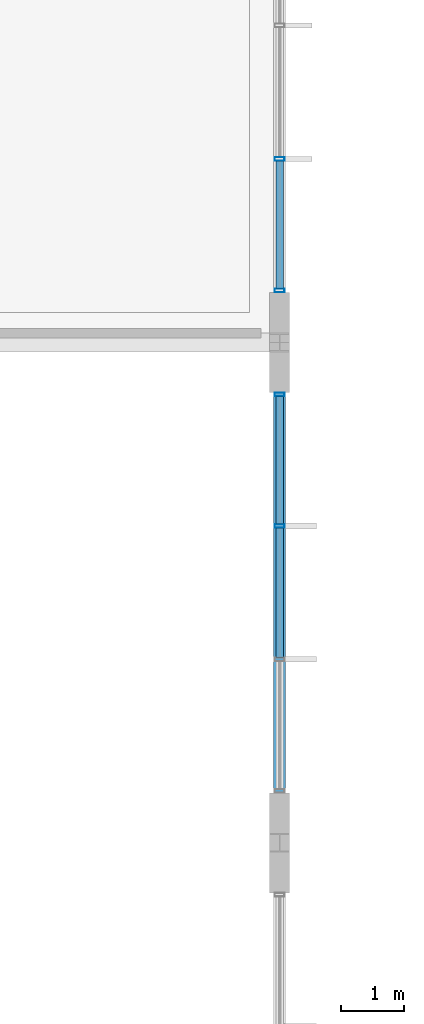
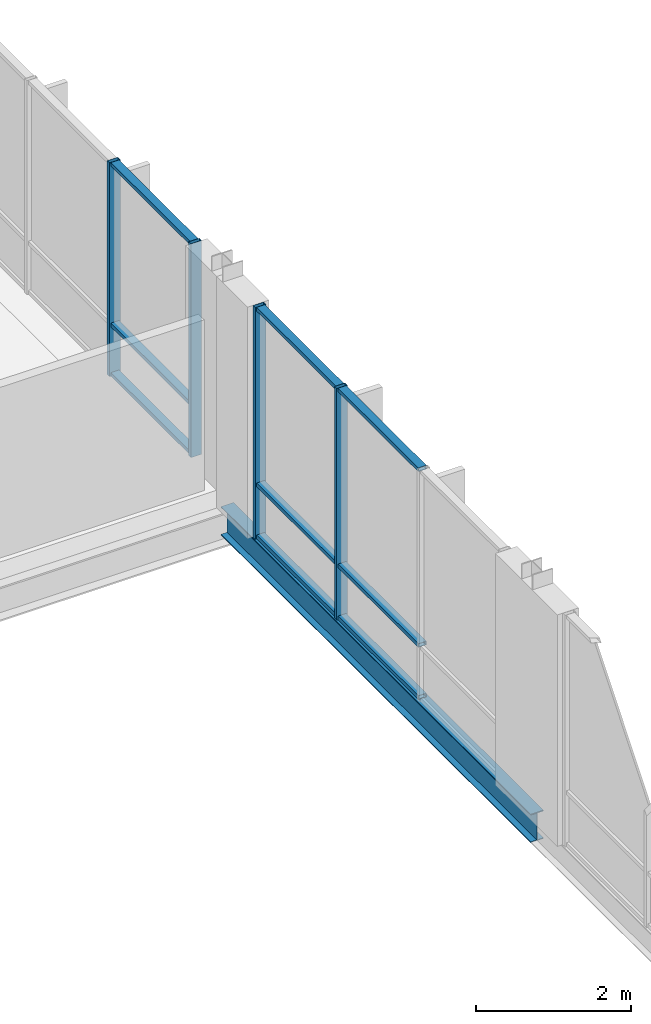
# One storey, part 117 of 189: 13 members, 1 beam, 2 elements without a shape of their own.
"""IFC4 building model written with IfcOpenShell, lengths in metres."""

import ifcopenshell
import ifcopenshell.guid

model = None  # the IFC model being written
_history = None  # IfcOwnerHistory: only IFC2X3 demands one
_inside = {}  # id of a spatial element -> (the spatial element, [elements in it])
_under = {}  # id of a project, library or spatial element -> (it, [spatial elements below it])
_declared = {}  # id of a project -> (the project, [libraries it declares])
_typed = {}  # id of a type object -> (the type object, [elements of that type])
_made_of = {}  # id of a material, layer set ... -> (it, [elements and type objects made of it])


def new_model(schema):
    """Start an empty IFC model of exactly this schema.

    Asked for "IFC4X3", IfcOpenShell would pick the latest addendum, in which some entities
    have other attributes; the version numbers below select the first issue.
    IFC2X3 requires an IfcOwnerHistory on every rooted entity: one is made here for all.
    """
    global model, _history
    if schema == "IFC4X3":
        model = ifcopenshell.file(schema_version=(4, 3, 0, 0))
    else:
        model = ifcopenshell.file(schema=schema)
    _inside.clear()
    _under.clear()
    _declared.clear()
    _typed.clear()
    _made_of.clear()
    _history = None
    if model.schema == "IFC2X3":
        org = make("IfcOrganization", Name="unknown")
        user = make(
            "IfcPersonAndOrganization",
            ThePerson=make("IfcPerson", FamilyName="unknown"),
            TheOrganization=org,
        )
        app = make(
            "IfcApplication",
            ApplicationDeveloper=org,
            Version="unknown",
            ApplicationFullName="unknown",
            ApplicationIdentifier="unknown",
        )
        _history = make(
            "IfcOwnerHistory",
            OwningUser=user,
            OwningApplication=app,
            ChangeAction="ADDED",
            CreationDate=0,
        )
    return model


def make(cls, **values):
    """One entity of the class cls with the attributes given. An attribute that is None is left unset."""
    return model.create_entity(
        cls, **{name: value for name, value in values.items() if value is not None}
    )


def rooted(cls, **values):
    """An entity with a GlobalId (a new one), such as an element, a storey or a relation."""
    return make(cls, GlobalId=ifcopenshell.guid.new(), OwnerHistory=_history, **values)


def si_unit(unit_type, name, prefix=None):
    """IfcSIUnit, for example si_unit("LENGTHUNIT", "METRE", prefix="MILLI")."""
    return make("IfcSIUnit", UnitType=unit_type, Prefix=prefix, Name=name)


def assignment(units):
    """IfcUnitAssignment: the units of a project."""
    return None if units is None else make("IfcUnitAssignment", Units=units)


def point(xyz):
    """IfcCartesianPoint."""
    return None if xyz is None else make("IfcCartesianPoint", Coordinates=xyz)


def direction(xyz):
    """IfcDirection."""
    return None if xyz is None else make("IfcDirection", DirectionRatios=xyz)


def frame(location, z_axis=None, x_axis=None):
    """IfcAxis2Placement3D, a coordinate frame: its origin and axes. An axis left out is left unset."""
    return make(
        "IfcAxis2Placement3D",
        Location=point(location),
        Axis=direction(z_axis),
        RefDirection=direction(x_axis),
    )


def frame_2d(location, x_axis=None):
    """IfcAxis2Placement2D, a coordinate frame in the plane: its origin and x axis."""
    return make(
        "IfcAxis2Placement2D", Location=point(location), RefDirection=direction(x_axis)
    )


def origin():
    """The frame at (0, 0, 0) with its axes left unset."""
    return frame((0.0, 0.0, 0.0))


def origin_2d():
    """The frame at (0, 0) in the plane with its x axis left unset."""
    return frame_2d((0.0, 0.0))


def place(relative_to, where):
    """IfcLocalPlacement: puts the frame where relative to a parent placement (None: the world)."""
    return make(
        "IfcLocalPlacement", PlacementRelTo=relative_to, RelativePlacement=where
    )


def context(
    kind, dimensions, precision=None, world=None, true_north=None, identifier=None
):
    """IfcGeometricRepresentationContext, for example the 3D "Model" context."""
    return make(
        "IfcGeometricRepresentationContext",
        ContextIdentifier=identifier,
        ContextType=kind,
        CoordinateSpaceDimension=dimensions,
        Precision=precision,
        WorldCoordinateSystem=world,
        TrueNorth=true_north,
    )


def subcontext(parent, identifier, kind, view, scale=None):
    """IfcGeometricRepresentationSubContext, for example "Body" below "Model"."""
    return make(
        "IfcGeometricRepresentationSubContext",
        ContextIdentifier=identifier,
        ContextType=kind,
        ParentContext=parent,
        TargetScale=scale,
        TargetView=view,
    )


def project(units=None, contexts=None):
    """IfcProject with its units and contexts."""
    return rooted(
        "IfcProject",
        Name="project",
        RepresentationContexts=contexts,
        UnitsInContext=assignment(units),
    )


def spatial(cls, under=None, at=None, **own):
    """A site, building, storey or space (cls), placed at a placement, below another one or the project."""
    s = rooted(cls, ObjectPlacement=at, **own)
    if under is not None:
        _under.setdefault(under.id(), (under, []))[1].append(s)
    return s


def profile(cls, at=None, kind="AREA", **sizes):
    """A parametric profile (cls). Its sizes go by their IFC names, for example OverallWidth=200.0."""
    return make(cls, ProfileType=kind, Position=at, **sizes)


def hollow_rectangle(**sizes):
    """IfcRectangleHollowProfileDef."""
    return profile("IfcRectangleHollowProfileDef", **sizes)


def i_section(**sizes):
    """IfcIShapeProfileDef."""
    return profile("IfcIShapeProfileDef", **sizes)


def extrude(swept, where, along, depth):
    """IfcExtrudedAreaSolid: the profile swept, set in the frame where, extruded along a direction by depth."""
    return make(
        "IfcExtrudedAreaSolid",
        SweptArea=swept,
        Position=where,
        ExtrudedDirection=direction(along),
        Depth=depth,
    )


def shape(context_of_items, identifier, shape_type, items):
    """IfcShapeRepresentation: the items that make up one representation, for example the "Body"."""
    return make(
        "IfcShapeRepresentation",
        ContextOfItems=context_of_items,
        RepresentationIdentifier=identifier,
        RepresentationType=shape_type,
        Items=items,
    )


def material(Name=None, Category=None):
    """IfcMaterial."""
    return make("IfcMaterial", Name=Name, Category=Category)


def material_profile(
    of_material, cross_section, Name=None, Category=None, Priority=None
):
    """IfcMaterialProfile: a cross section and its material."""
    return make(
        "IfcMaterialProfile",
        Name=Name,
        Material=of_material,
        Profile=cross_section,
        Priority=Priority,
        Category=Category,
    )


def profile_set(profiles, Name=None, composite=None):
    """IfcMaterialProfileSet."""
    return make(
        "IfcMaterialProfileSet",
        Name=Name,
        MaterialProfiles=profiles,
        CompositeProfile=composite,
    )


def made_of(thing, what):
    """Note that an element or type object is made of a material, layer set ...; save() writes the relation."""
    if what is not None:
        _made_of.setdefault(what.id(), (what, []))[1].append(thing)
    return thing


def type_object(cls, material=None, **own):
    """A type object (cls), such as IfcWallType, which elements share."""
    return made_of(rooted(cls, **own), material)


def element(
    cls,
    number,
    at=None,
    inside=None,
    cuts=None,
    type_object=None,
    material=None,
    context=None,
    identifier="Body",
    shape_type=None,
    held_by="IfcProductDefinitionShape",
    body=None,
    shapes=None,
    **own,
):
    """One element of the class cls, such as IfcWall. Its Tag is "e" and its number.

    at: its placement. inside: the storey or other place that contains it. cuts: it is an
    opening in that element (IfcRelVoidsElement). A single representation is given by context,
    identifier, shape_type and body (its items); several are given by shapes. held_by: the class
    of the entity that holds the representations. save() writes the other relations.
    """
    e = rooted(cls, Tag="e%d" % number, ObjectPlacement=at, **own)
    if body is not None:
        shapes = [shape(context, identifier, shape_type, body)]
    if shapes is not None:
        e.Representation = make(held_by, Representations=shapes)
    if inside is not None:
        _inside.setdefault(inside.id(), (inside, []))[1].append(e)
    if cuts is not None:
        rooted(
            "IfcRelVoidsElement", RelatingBuildingElement=cuts, RelatedOpeningElement=e
        )
    if type_object is not None:
        _typed.setdefault(type_object.id(), (type_object, []))[1].append(e)
    return made_of(e, material)


def aggregate(whole, parts):
    """IfcRelAggregates: a whole, such as a stair, and the parts it consists of."""
    return rooted("IfcRelAggregates", RelatingObject=whole, RelatedObjects=parts)


def save(model, path):
    """Write the relations noted so far, then the file.

    IfcRelAggregates (storeys below a building ...), IfcRelContainedInSpatialStructure (elements
    in a storey), IfcRelDefinesByType, IfcRelAssociatesMaterial and IfcRelDeclares: one each for
    every whole, place, type object, material and project.
    """
    for whole, parts in _under.values():
        aggregate(whole, parts)
    for where, things in _inside.values():
        rooted(
            "IfcRelContainedInSpatialStructure",
            RelatedElements=things,
            RelatingStructure=where,
        )
    for kind, things in _typed.values():
        rooted("IfcRelDefinesByType", RelatedObjects=things, RelatingType=kind)
    for what, things in _made_of.values():
        rooted("IfcRelAssociatesMaterial", RelatedObjects=things, RelatingMaterial=what)
    for by, libraries in _declared.values():
        rooted("IfcRelDeclares", RelatingContext=by, RelatedDefinitions=libraries)
    model.write(path)


model = new_model("IFC4")

# Units and contexts
model_context = context("Model", 3, precision=1e-05, world=origin(), true_north=direction((0.0, 1.0)))
body_context = subcontext(model_context, "Body", "Model", "MODEL_VIEW")
ifc_project = project(units=[si_unit("LENGTHUNIT", "METRE"), si_unit("AREAUNIT", "SQUARE_METRE"), si_unit("VOLUMEUNIT", "CUBIC_METRE"), si_unit("PLANEANGLEUNIT", "RADIAN"), si_unit("MASSUNIT", "GRAM", prefix="KILO")], contexts=[model_context])

# Site, building, storey
site_placement = place(None, origin())
site = spatial("IfcSite", under=ifc_project, at=site_placement, CompositionType="ELEMENT")
building_placement = place(site_placement, origin())
building = spatial("IfcBuilding", under=site, at=building_placement, Name="Zavelmont Quarter", CompositionType="ELEMENT")
storey_placement = place(building_placement, frame((0.0, 0.0, 4.39990234375)))
storey = spatial("IfcBuildingStorey", under=building, at=storey_placement, Name="L01", CompositionType="ELEMENT", Elevation=4.39990234375)

# Beam
ifc_material_1 = material(Name="Steel S355", Category="steel")
ifc_material_profile_1 = material_profile(ifc_material_1, i_section(OverallWidth=0.18994140625, OverallDepth=0.449951171875, WebThickness=0.009521484375, FlangeThickness=0.0146484375, at=origin_2d()), Name="IPE 450")
ifc_profile_set_1 = profile_set([ifc_material_profile_1], Name="Steel S355")
beam_type = type_object("IfcBeamType", Name="BM12", PredefinedType="BEAM", material=ifc_profile_set_1)
beam_placement = place(storey_placement, frame((168.0, 46.0, -0.5048828125), z_axis=(0.0, 1.0, 0.0), x_axis=(-1.0, 0.0, 0.0)))
element("IfcBeam", 1, at=beam_placement, inside=storey, type_object=beam_type, Name="L01 beam BM12 25/H to 25/J", PredefinedType="BEAM", context=body_context, shape_type="SweptSolid", body=[
    extrude(i_section(OverallWidth=0.18994140625, OverallDepth=0.449951171875, WebThickness=0.009521484375, FlangeThickness=0.0146484375, at=origin_2d()), origin(), (0.0, 0.0, 1.0), 8.0),
])

# Curtain wall, members
ifc_material_2 = material(Name="Thermally broken aluminium and double low-E safety glazing", Category="aluminium")
curtain_wall_type_1 = type_object("IfcCurtainWallType", Name="CW-640X365", PredefinedType="NOTDEFINED", material=ifc_material_2)
curtain_wall_1_placement = place(storey_placement, origin())
curtain_wall_1 = element("IfcCurtainWall", 2, at=curtain_wall_1_placement, inside=storey, type_object=curtain_wall_type_1, Name="L01 unitised curtain wall CW-640X365", PredefinedType="NOTDEFINED")
ifc_material_3 = material(Name="Powder-coated aluminium EN AW-6063-T6", Category="aluminium")
ifc_material_profile_2 = material_profile(ifc_material_3, hollow_rectangle(XDim=0.06005859375, YDim=0.159912109375, WallThickness=0.00390625, at=origin_2d()), Name="CWM60X160")
ifc_profile_set_2 = profile_set([ifc_material_profile_2], Name="Powder-coated aluminium EN AW-6063-T6")
member_type_1 = type_object("IfcMemberType", Name="CWM01", PredefinedType="MULLION", material=ifc_profile_set_2)
member_1_placement = place(storey_placement, frame((168.0, 51.066650390625, -0.27978515625), z_axis=(0.0, 0.0, 1.0), x_axis=(0.0, 1.0, 0.0)))
member_1 = element("IfcMember", 3, at=member_1_placement, type_object=member_type_1, Name="CW-640X365 mullion 3", PredefinedType="MULLION", context=body_context, shape_type="SweptSolid", body=[
    extrude(hollow_rectangle(XDim=0.06005859375, YDim=0.159912109375, WallThickness=0.00390625, at=origin_2d()), origin(), (0.0, 0.0, 1.0), 3.64990234375),
])
member_2_placement = place(storey_placement, frame((168.0, 53.169921875, -0.27978515625), z_axis=(0.0, 0.0, 1.0), x_axis=(0.0, 1.0, 0.0)))
member_2 = element("IfcMember", 4, at=member_2_placement, type_object=member_type_1, Name="CW-640X365 mullion 4", PredefinedType="MULLION", context=body_context, shape_type="SweptSolid", body=[
    extrude(hollow_rectangle(XDim=0.06005859375, YDim=0.159912109375, WallThickness=0.00390625, at=origin_2d()), origin(), (0.0, 0.0, 1.0), 3.64990234375),
])

curtain_wall_type_2 = type_object("IfcCurtainWallType", Name="CW-640X337", PredefinedType="NOTDEFINED", material=ifc_material_2)
curtain_wall_2_placement = place(storey_placement, origin())
curtain_wall_2 = element("IfcCurtainWall", 5, at=curtain_wall_2_placement, inside=storey, type_object=curtain_wall_type_2, Name="L01 unitised curtain wall CW-640X337", PredefinedType="NOTDEFINED")
member_3_placement = place(storey_placement, frame((168.0, 54.830078125, 0.0), z_axis=(0.0, 0.0, 1.0), x_axis=(0.0, 1.0, 0.0)))
member_3 = element("IfcMember", 6, at=member_3_placement, type_object=member_type_1, Name="CW-640X337 mullion 1", PredefinedType="MULLION", context=body_context, shape_type="SweptSolid", body=[
    extrude(hollow_rectangle(XDim=0.06005859375, YDim=0.159912109375, WallThickness=0.00390625, at=origin_2d()), origin(), (0.0, 0.0, 1.0), 3.3701171875),
])
member_4_placement = place(storey_placement, frame((168.0, 56.933349609375, 0.0), z_axis=(0.0, 0.0, 1.0), x_axis=(0.0, 1.0, 0.0)))
member_4 = element("IfcMember", 7, at=member_4_placement, type_object=member_type_1, Name="CW-640X337 mullion 2", PredefinedType="MULLION", context=body_context, shape_type="SweptSolid", body=[
    extrude(hollow_rectangle(XDim=0.06005859375, YDim=0.159912109375, WallThickness=0.00390625, at=origin_2d()), origin(), (0.0, 0.0, 1.0), 3.3701171875),
])

# Member
ifc_material_profile_3 = material_profile(ifc_material_3, hollow_rectangle(XDim=0.1201171875, YDim=0.06005859375, WallThickness=0.00390625, at=origin_2d()), Name="CWT60X120")
ifc_profile_set_3 = profile_set([ifc_material_profile_3], Name="Powder-coated aluminium EN AW-6063-T6")
member_type_2 = type_object("IfcMemberType", Name="CWT01", PredefinedType="NOTDEFINED", material=ifc_profile_set_3)
member_5_placement = place(storey_placement, frame((168.0, 48.96337890625, -0.25), z_axis=(0.0, 1.0, 0.0), x_axis=(-1.0, 0.0, 0.0)))
member_5 = element("IfcMember", 8, at=member_5_placement, type_object=member_type_2, Name="CW-640X365 transom 2.1", ObjectType="TRANSOM", PredefinedType="USERDEFINED", context=body_context, shape_type="SweptSolid", body=[
    extrude(hollow_rectangle(XDim=0.1201171875, YDim=0.06005859375, WallThickness=0.00390625, at=origin_2d()), origin(), (0.0, 0.0, 1.0), 2.0732421875),
])

member_6_placement = place(storey_placement, frame((168.0, 48.96337890625, 0.570068359375), z_axis=(0.0, 1.0, 0.0), x_axis=(-1.0, 0.0, 0.0)))
member_6 = element("IfcMember", 9, at=member_6_placement, type_object=member_type_2, Name="CW-640X365 transom 2.2", ObjectType="TRANSOM", PredefinedType="USERDEFINED", context=body_context, shape_type="SweptSolid", body=[
    extrude(hollow_rectangle(XDim=0.1201171875, YDim=0.06005859375, WallThickness=0.00390625, at=origin_2d()), origin(), (0.0, 0.0, 1.0), 2.0732421875),
])

member_7_placement = place(storey_placement, frame((168.0, 48.96337890625, 3.340087890625), z_axis=(0.0, 1.0, 0.0), x_axis=(-1.0, 0.0, 0.0)))
member_7 = element("IfcMember", 10, at=member_7_placement, type_object=member_type_2, Name="CW-640X365 transom 2.3", ObjectType="TRANSOM", PredefinedType="USERDEFINED", context=body_context, shape_type="SweptSolid", body=[
    extrude(hollow_rectangle(XDim=0.1201171875, YDim=0.06005859375, WallThickness=0.00390625, at=origin_2d()), origin(), (0.0, 0.0, 1.0), 2.0732421875),
])

member_8_placement = place(storey_placement, frame((168.0, 51.0966796875, -0.25), z_axis=(0.0, 1.0, 0.0), x_axis=(-1.0, 0.0, 0.0)))
member_8 = element("IfcMember", 11, at=member_8_placement, type_object=member_type_2, Name="CW-640X365 transom 3.1", ObjectType="TRANSOM", PredefinedType="USERDEFINED", context=body_context, shape_type="SweptSolid", body=[
    extrude(hollow_rectangle(XDim=0.1201171875, YDim=0.06005859375, WallThickness=0.00390625, at=origin_2d()), origin(), (0.0, 0.0, 1.0), 2.043212890625),
])

member_9_placement = place(storey_placement, frame((168.0, 51.0966796875, 0.570068359375), z_axis=(0.0, 1.0, 0.0), x_axis=(-1.0, 0.0, 0.0)))
member_9 = element("IfcMember", 12, at=member_9_placement, type_object=member_type_2, Name="CW-640X365 transom 3.2", ObjectType="TRANSOM", PredefinedType="USERDEFINED", context=body_context, shape_type="SweptSolid", body=[
    extrude(hollow_rectangle(XDim=0.1201171875, YDim=0.06005859375, WallThickness=0.00390625, at=origin_2d()), origin(), (0.0, 0.0, 1.0), 2.043212890625),
])

member_10_placement = place(storey_placement, frame((168.0, 51.0966796875, 3.340087890625), z_axis=(0.0, 1.0, 0.0), x_axis=(-1.0, 0.0, 0.0)))
member_10 = element("IfcMember", 13, at=member_10_placement, type_object=member_type_2, Name="CW-640X365 transom 3.3", ObjectType="TRANSOM", PredefinedType="USERDEFINED", context=body_context, shape_type="SweptSolid", body=[
    extrude(hollow_rectangle(XDim=0.1201171875, YDim=0.06005859375, WallThickness=0.00390625, at=origin_2d()), origin(), (0.0, 0.0, 1.0), 2.043212890625),
])

aggregate(curtain_wall_1, [member_1, member_2, member_5, member_6, member_7, member_8, member_9, member_10])

member_11_placement = place(storey_placement, frame((168.0, 54.860107421875, 0.030029296875), z_axis=(0.0, 1.0, 0.0), x_axis=(-1.0, 0.0, 0.0)))
member_11 = element("IfcMember", 14, at=member_11_placement, type_object=member_type_2, Name="CW-640X337 transom 1.1", ObjectType="TRANSOM", PredefinedType="USERDEFINED", context=body_context, shape_type="SweptSolid", body=[
    extrude(hollow_rectangle(XDim=0.1201171875, YDim=0.06005859375, WallThickness=0.00390625, at=origin_2d()), origin(), (0.0, 0.0, 1.0), 2.043212890625),
])

member_12_placement = place(storey_placement, frame((168.0, 54.860107421875, 0.80908203125), z_axis=(0.0, 1.0, 0.0), x_axis=(-1.0, 0.0, 0.0)))
member_12 = element("IfcMember", 15, at=member_12_placement, type_object=member_type_2, Name="CW-640X337 transom 1.2", ObjectType="TRANSOM", PredefinedType="USERDEFINED", context=body_context, shape_type="SweptSolid", body=[
    extrude(hollow_rectangle(XDim=0.1201171875, YDim=0.06005859375, WallThickness=0.00390625, at=origin_2d()), origin(), (0.0, 0.0, 1.0), 2.043212890625),
])

member_13_placement = place(storey_placement, frame((168.0, 54.860107421875, 3.340087890625), z_axis=(0.0, 1.0, 0.0), x_axis=(-1.0, 0.0, 0.0)))
member_13 = element("IfcMember", 16, at=member_13_placement, type_object=member_type_2, Name="CW-640X337 transom 1.3", ObjectType="TRANSOM", PredefinedType="USERDEFINED", context=body_context, shape_type="SweptSolid", body=[
    extrude(hollow_rectangle(XDim=0.1201171875, YDim=0.06005859375, WallThickness=0.00390625, at=origin_2d()), origin(), (0.0, 0.0, 1.0), 2.043212890625),
])

aggregate(curtain_wall_2, [member_3, member_4, member_11, member_12, member_13])

save(model, "model.ifc")
